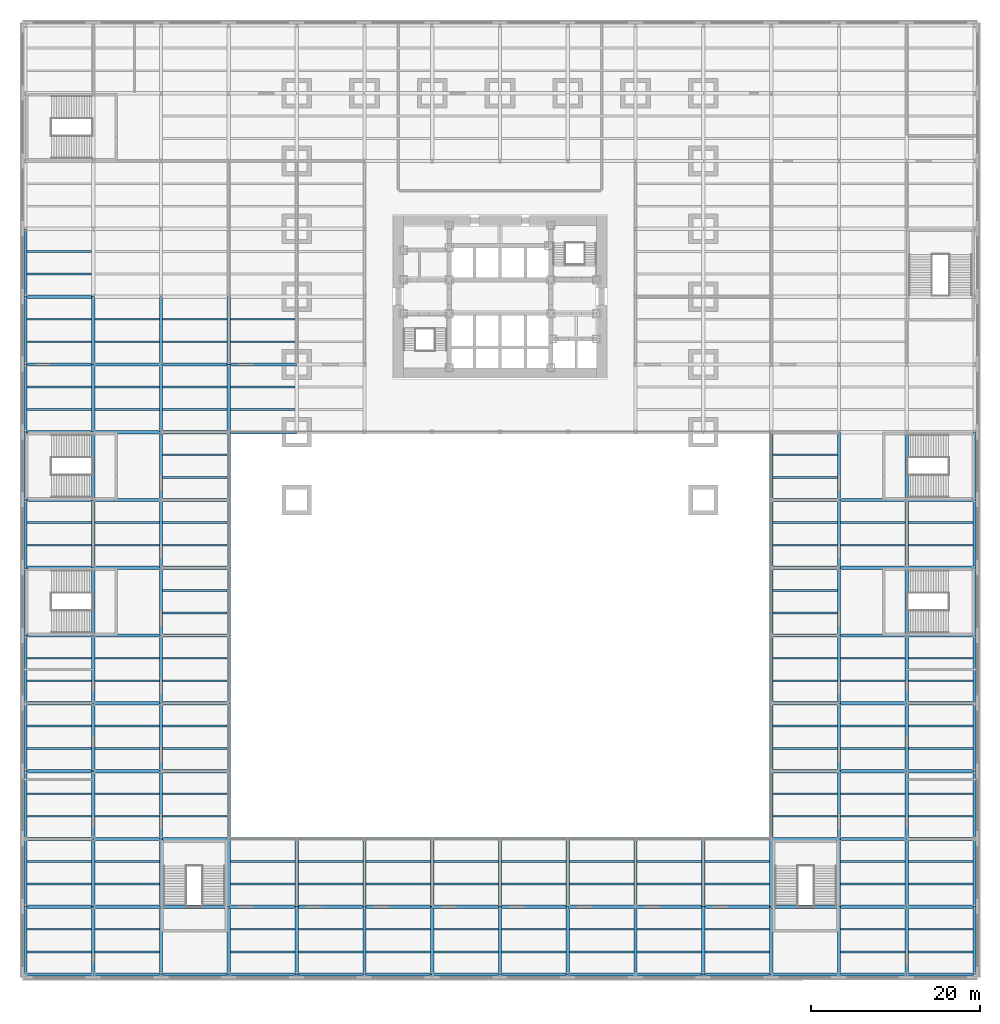
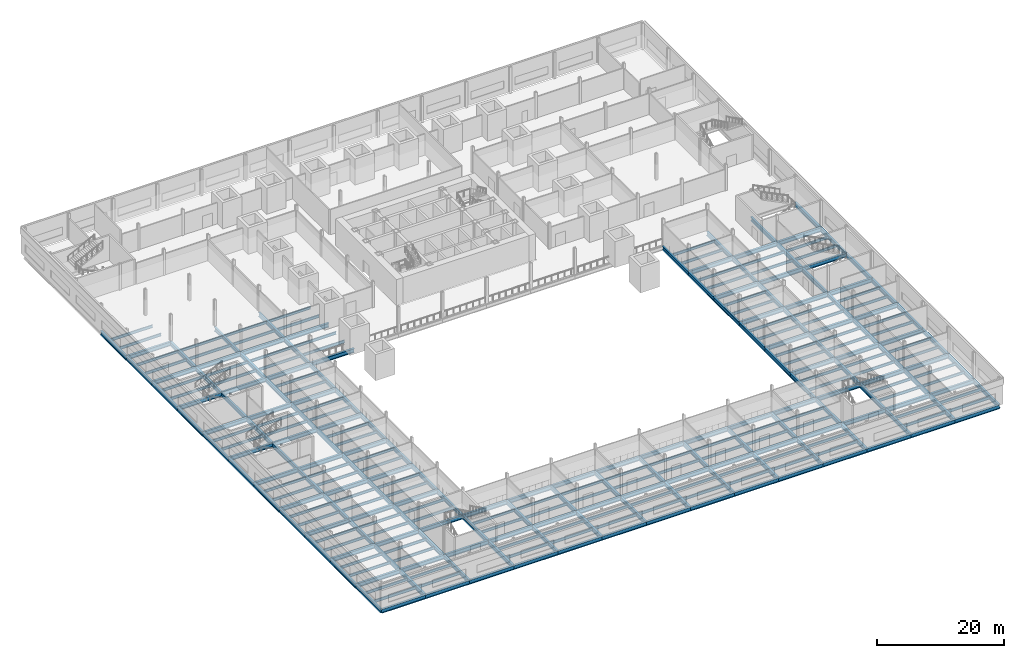
# One storey, part 7 of 22: 290 beams.
"""IFC4 building model written with IfcOpenShell, lengths in metres."""

import ifcopenshell
import ifcopenshell.guid

model = None  # the IFC model being written
_history = None  # IfcOwnerHistory: only IFC2X3 demands one
_inside = {}  # id of a spatial element -> (the spatial element, [elements in it])
_under = {}  # id of a project, library or spatial element -> (it, [spatial elements below it])
_declared = {}  # id of a project -> (the project, [libraries it declares])
_typed = {}  # id of a type object -> (the type object, [elements of that type])
_made_of = {}  # id of a material, layer set ... -> (it, [elements and type objects made of it])


def new_model(schema):
    """Start an empty IFC model of exactly this schema.

    Asked for "IFC4X3", IfcOpenShell would pick the latest addendum, in which some entities
    have other attributes; the version numbers below select the first issue.
    IFC2X3 requires an IfcOwnerHistory on every rooted entity: one is made here for all.
    """
    global model, _history
    if schema == "IFC4X3":
        model = ifcopenshell.file(schema_version=(4, 3, 0, 0))
    else:
        model = ifcopenshell.file(schema=schema)
    _inside.clear()
    _under.clear()
    _declared.clear()
    _typed.clear()
    _made_of.clear()
    _history = None
    if model.schema == "IFC2X3":
        org = make("IfcOrganization", Name="unknown")
        user = make(
            "IfcPersonAndOrganization",
            ThePerson=make("IfcPerson", FamilyName="unknown"),
            TheOrganization=org,
        )
        app = make(
            "IfcApplication",
            ApplicationDeveloper=org,
            Version="unknown",
            ApplicationFullName="unknown",
            ApplicationIdentifier="unknown",
        )
        _history = make(
            "IfcOwnerHistory",
            OwningUser=user,
            OwningApplication=app,
            ChangeAction="ADDED",
            CreationDate=0,
        )
    return model


def make(cls, **values):
    """One entity of the class cls with the attributes given. An attribute that is None is left unset."""
    return model.create_entity(
        cls, **{name: value for name, value in values.items() if value is not None}
    )


def rooted(cls, **values):
    """An entity with a GlobalId (a new one), such as an element, a storey or a relation."""
    return make(cls, GlobalId=ifcopenshell.guid.new(), OwnerHistory=_history, **values)


def si_unit(unit_type, name, prefix=None):
    """IfcSIUnit, for example si_unit("LENGTHUNIT", "METRE", prefix="MILLI")."""
    return make("IfcSIUnit", UnitType=unit_type, Prefix=prefix, Name=name)


def assignment(units):
    """IfcUnitAssignment: the units of a project."""
    return None if units is None else make("IfcUnitAssignment", Units=units)


def point(xyz):
    """IfcCartesianPoint."""
    return None if xyz is None else make("IfcCartesianPoint", Coordinates=xyz)


def direction(xyz):
    """IfcDirection."""
    return None if xyz is None else make("IfcDirection", DirectionRatios=xyz)


def frame(location, z_axis=None, x_axis=None):
    """IfcAxis2Placement3D, a coordinate frame: its origin and axes. An axis left out is left unset."""
    return make(
        "IfcAxis2Placement3D",
        Location=point(location),
        Axis=direction(z_axis),
        RefDirection=direction(x_axis),
    )


def frame_2d(location, x_axis=None):
    """IfcAxis2Placement2D, a coordinate frame in the plane: its origin and x axis."""
    return make(
        "IfcAxis2Placement2D", Location=point(location), RefDirection=direction(x_axis)
    )


def origin():
    """The frame at (0, 0, 0) with its axes left unset."""
    return frame((0.0, 0.0, 0.0))


def origin_2d():
    """The frame at (0, 0) in the plane with its x axis left unset."""
    return frame_2d((0.0, 0.0))


def place(relative_to, where):
    """IfcLocalPlacement: puts the frame where relative to a parent placement (None: the world)."""
    return make(
        "IfcLocalPlacement", PlacementRelTo=relative_to, RelativePlacement=where
    )


def context(
    kind, dimensions, precision=None, world=None, true_north=None, identifier=None
):
    """IfcGeometricRepresentationContext, for example the 3D "Model" context."""
    return make(
        "IfcGeometricRepresentationContext",
        ContextIdentifier=identifier,
        ContextType=kind,
        CoordinateSpaceDimension=dimensions,
        Precision=precision,
        WorldCoordinateSystem=world,
        TrueNorth=true_north,
    )


def subcontext(parent, identifier, kind, view, scale=None):
    """IfcGeometricRepresentationSubContext, for example "Body" below "Model"."""
    return make(
        "IfcGeometricRepresentationSubContext",
        ContextIdentifier=identifier,
        ContextType=kind,
        ParentContext=parent,
        TargetScale=scale,
        TargetView=view,
    )


def project(units=None, contexts=None):
    """IfcProject with its units and contexts."""
    return rooted(
        "IfcProject",
        Name="project",
        RepresentationContexts=contexts,
        UnitsInContext=assignment(units),
    )


def spatial(cls, under=None, at=None, **own):
    """A site, building, storey or space (cls), placed at a placement, below another one or the project."""
    s = rooted(cls, ObjectPlacement=at, **own)
    if under is not None:
        _under.setdefault(under.id(), (under, []))[1].append(s)
    return s


def profile(cls, at=None, kind="AREA", **sizes):
    """A parametric profile (cls). Its sizes go by their IFC names, for example OverallWidth=200.0."""
    return make(cls, ProfileType=kind, Position=at, **sizes)


def i_section(**sizes):
    """IfcIShapeProfileDef."""
    return profile("IfcIShapeProfileDef", **sizes)


def extrude(swept, where, along, depth):
    """IfcExtrudedAreaSolid: the profile swept, set in the frame where, extruded along a direction by depth."""
    return make(
        "IfcExtrudedAreaSolid",
        SweptArea=swept,
        Position=where,
        ExtrudedDirection=direction(along),
        Depth=depth,
    )


def shape(context_of_items, identifier, shape_type, items):
    """IfcShapeRepresentation: the items that make up one representation, for example the "Body"."""
    return make(
        "IfcShapeRepresentation",
        ContextOfItems=context_of_items,
        RepresentationIdentifier=identifier,
        RepresentationType=shape_type,
        Items=items,
    )


def material(Name=None, Category=None):
    """IfcMaterial."""
    return make("IfcMaterial", Name=Name, Category=Category)


def material_profile(
    of_material, cross_section, Name=None, Category=None, Priority=None
):
    """IfcMaterialProfile: a cross section and its material."""
    return make(
        "IfcMaterialProfile",
        Name=Name,
        Material=of_material,
        Profile=cross_section,
        Priority=Priority,
        Category=Category,
    )


def profile_set(profiles, Name=None, composite=None):
    """IfcMaterialProfileSet."""
    return make(
        "IfcMaterialProfileSet",
        Name=Name,
        MaterialProfiles=profiles,
        CompositeProfile=composite,
    )


def made_of(thing, what):
    """Note that an element or type object is made of a material, layer set ...; save() writes the relation."""
    if what is not None:
        _made_of.setdefault(what.id(), (what, []))[1].append(thing)
    return thing


def type_object(cls, material=None, **own):
    """A type object (cls), such as IfcWallType, which elements share."""
    return made_of(rooted(cls, **own), material)


def element(
    cls,
    number,
    at=None,
    inside=None,
    cuts=None,
    type_object=None,
    material=None,
    context=None,
    identifier="Body",
    shape_type=None,
    held_by="IfcProductDefinitionShape",
    body=None,
    shapes=None,
    **own,
):
    """One element of the class cls, such as IfcWall. Its Tag is "e" and its number.

    at: its placement. inside: the storey or other place that contains it. cuts: it is an
    opening in that element (IfcRelVoidsElement). A single representation is given by context,
    identifier, shape_type and body (its items); several are given by shapes. held_by: the class
    of the entity that holds the representations. save() writes the other relations.
    """
    e = rooted(cls, Tag="e%d" % number, ObjectPlacement=at, **own)
    if body is not None:
        shapes = [shape(context, identifier, shape_type, body)]
    if shapes is not None:
        e.Representation = make(held_by, Representations=shapes)
    if inside is not None:
        _inside.setdefault(inside.id(), (inside, []))[1].append(e)
    if cuts is not None:
        rooted(
            "IfcRelVoidsElement", RelatingBuildingElement=cuts, RelatedOpeningElement=e
        )
    if type_object is not None:
        _typed.setdefault(type_object.id(), (type_object, []))[1].append(e)
    return made_of(e, material)


def aggregate(whole, parts):
    """IfcRelAggregates: a whole, such as a stair, and the parts it consists of."""
    return rooted("IfcRelAggregates", RelatingObject=whole, RelatedObjects=parts)


def save(model, path):
    """Write the relations noted so far, then the file.

    IfcRelAggregates (storeys below a building ...), IfcRelContainedInSpatialStructure (elements
    in a storey), IfcRelDefinesByType, IfcRelAssociatesMaterial and IfcRelDeclares: one each for
    every whole, place, type object, material and project.
    """
    for whole, parts in _under.values():
        aggregate(whole, parts)
    for where, things in _inside.values():
        rooted(
            "IfcRelContainedInSpatialStructure",
            RelatedElements=things,
            RelatingStructure=where,
        )
    for kind, things in _typed.values():
        rooted("IfcRelDefinesByType", RelatedObjects=things, RelatingType=kind)
    for what, things in _made_of.values():
        rooted("IfcRelAssociatesMaterial", RelatedObjects=things, RelatingMaterial=what)
    for by, libraries in _declared.values():
        rooted("IfcRelDeclares", RelatingContext=by, RelatedDefinitions=libraries)
    model.write(path)


model = new_model("IFC4")

# Units and contexts
model_context = context("Model", 3, precision=1e-05, world=origin(), true_north=direction((0.0, 1.0)))
body_context = subcontext(model_context, "Body", "Model", "MODEL_VIEW")
ifc_project = project(units=[si_unit("LENGTHUNIT", "METRE"), si_unit("AREAUNIT", "SQUARE_METRE"), si_unit("VOLUMEUNIT", "CUBIC_METRE"), si_unit("PLANEANGLEUNIT", "RADIAN"), si_unit("MASSUNIT", "GRAM", prefix="KILO")], contexts=[model_context])

# Site, building, storey
site_placement = place(None, origin())
site = spatial("IfcSite", under=ifc_project, at=site_placement, CompositionType="ELEMENT")
building_placement = place(site_placement, origin())
building = spatial("IfcBuilding", under=site, at=building_placement, Name="Daluyong Arena Tower", CompositionType="ELEMENT")
storey_placement = place(building_placement, frame((0.0, 0.0, 9.89990234375)))
storey = spatial("IfcBuildingStorey", under=building, at=storey_placement, Name="L02", CompositionType="ELEMENT", Elevation=9.89990234375)

# Beams
ifc_material_1 = material(Name="Steel ASTM A992 Grade 50", Category="steel")
ifc_material_profile_1 = material_profile(ifc_material_1, i_section(OverallWidth=0.209228515625, OverallDepth=0.533447265625, WebThickness=0.01025390625, FlangeThickness=0.015625, at=origin_2d()))
ifc_profile_set_1 = profile_set([ifc_material_profile_1], Name="Steel ASTM A992 Grade 50")
beam_type_1 = type_object("IfcBeamType", Name="Podium floor beam W21X62", PredefinedType="BEAM", material=ifc_profile_set_1)
for number, where, z_axis, x_axis, name in (
    (1, (0.1904296875, 2.666748046875, -0.466552734375), (1.0, 0.0, 0.0), (0.0, 1.0, 0.0), "podium floor beam PB1"),
    (2, (0.1904296875, 5.333251953125, -0.466552734375), (1.0, 0.0, 0.0), (0.0, 1.0, 0.0), "podium floor beam PB1"),
    (3, (0.1904296875, 10.666748046875, -0.466552734375), (1.0, 0.0, 0.0), (0.0, 1.0, 0.0), "podium floor beam PB1"),
    (4, (0.1904296875, 13.333251953125, -0.466552734375), (1.0, 0.0, 0.0), (0.0, 1.0, 0.0), "podium floor beam PB1"),
    (5, (0.1904296875, 18.666748046875, -0.466552734375), (1.0, 0.0, 0.0), (0.0, 1.0, 0.0), "podium floor beam PB1"),
    (6, (0.1904296875, 21.333251953125, -0.466552734375), (1.0, 0.0, 0.0), (0.0, 1.0, 0.0), "podium floor beam PB1"),
    (7, (0.1904296875, 26.666748046875, -0.466552734375), (1.0, 0.0, 0.0), (0.0, 1.0, 0.0), "podium floor beam PB1"),
    (8, (0.1904296875, 29.333251953125, -0.466552734375), (1.0, 0.0, 0.0), (0.0, 1.0, 0.0), "podium floor beam PB1"),
    (9, (0.1904296875, 34.666748046875, -0.466552734375), (1.0, 0.0, 0.0), (0.0, 1.0, 0.0), "podium floor beam PB1"),
    (10, (0.1904296875, 37.333251953125, -0.466552734375), (1.0, 0.0, 0.0), (0.0, 1.0, 0.0), "podium floor beam PB1"),
    (11, (0.1904296875, 50.666748046875, -0.466552734375), (1.0, 0.0, 0.0), (0.0, 1.0, 0.0), "podium floor beam PB1"),
    (12, (0.1904296875, 53.333251953125, -0.466552734375), (1.0, 0.0, 0.0), (0.0, 1.0, 0.0), "podium floor beam PB1"),
    (13, (0.1904296875, 66.666748046875, -0.466552734375), (1.0, 0.0, 0.0), (0.0, 1.0, 0.0), "podium floor beam PB1"),
    (14, (0.1904296875, 69.333251953125, -0.466552734375), (1.0, 0.0, 0.0), (0.0, 1.0, 0.0), "podium floor beam PB1"),
    (15, (0.1904296875, 74.666748046875, -0.466552734375), (1.0, 0.0, 0.0), (0.0, 1.0, 0.0), "podium floor beam PB1"),
    (16, (0.1904296875, 77.333251953125, -0.466552734375), (1.0, 0.0, 0.0), (0.0, 1.0, 0.0), "podium floor beam PB1"),
    (17, (0.1904296875, 82.666748046875, -0.466552734375), (1.0, 0.0, 0.0), (0.0, 1.0, 0.0), "podium floor beam PB1"),
    (18, (0.1904296875, 85.333251953125, -0.466552734375), (1.0, 0.0, 0.0), (0.0, 1.0, 0.0), "podium floor beam PB1"),
    (19, (8.1904296875, 2.666748046875, -0.466552734375), (1.0, 0.0, 0.0), (0.0, 1.0, 0.0), "podium floor beam PB1"),
    (20, (8.1904296875, 5.333251953125, -0.466552734375), (1.0, 0.0, 0.0), (0.0, 1.0, 0.0), "podium floor beam PB1"),
    (21, (8.1904296875, 10.666748046875, -0.466552734375), (1.0, 0.0, 0.0), (0.0, 1.0, 0.0), "podium floor beam PB1"),
    (22, (8.1904296875, 13.333251953125, -0.466552734375), (1.0, 0.0, 0.0), (0.0, 1.0, 0.0), "podium floor beam PB1"),
    (23, (8.1904296875, 18.666748046875, -0.466552734375), (1.0, 0.0, 0.0), (0.0, 1.0, 0.0), "podium floor beam PB1"),
    (24, (8.1904296875, 21.333251953125, -0.466552734375), (1.0, 0.0, 0.0), (0.0, 1.0, 0.0), "podium floor beam PB1"),
    (25, (8.1904296875, 26.666748046875, -0.466552734375), (1.0, 0.0, 0.0), (0.0, 1.0, 0.0), "podium floor beam PB1"),
    (26, (8.1904296875, 29.333251953125, -0.466552734375), (1.0, 0.0, 0.0), (0.0, 1.0, 0.0), "podium floor beam PB1"),
    (27, (8.1904296875, 34.666748046875, -0.466552734375), (1.0, 0.0, 0.0), (0.0, 1.0, 0.0), "podium floor beam PB1"),
    (28, (8.1904296875, 37.333251953125, -0.466552734375), (1.0, 0.0, 0.0), (0.0, 1.0, 0.0), "podium floor beam PB1"),
    (29, (8.1904296875, 50.666748046875, -0.466552734375), (1.0, 0.0, 0.0), (0.0, 1.0, 0.0), "podium floor beam PB1"),
    (30, (8.1904296875, 53.333251953125, -0.466552734375), (1.0, 0.0, 0.0), (0.0, 1.0, 0.0), "podium floor beam PB1"),
    (31, (8.1904296875, 66.666748046875, -0.466552734375), (1.0, 0.0, 0.0), (0.0, 1.0, 0.0), "podium floor beam PB1"),
    (32, (8.1904296875, 69.333251953125, -0.466552734375), (1.0, 0.0, 0.0), (0.0, 1.0, 0.0), "podium floor beam PB1"),
    (33, (8.1904296875, 74.666748046875, -0.466552734375), (1.0, 0.0, 0.0), (0.0, 1.0, 0.0), "podium floor beam PB1"),
    (34, (8.1904296875, 77.333251953125, -0.466552734375), (1.0, 0.0, 0.0), (0.0, 1.0, 0.0), "podium floor beam PB1"),
    (35, (16.1904296875, 18.666748046875, -0.466552734375), (1.0, 0.0, 0.0), (0.0, 1.0, 0.0), "podium floor beam PB1"),
    (36, (16.1904296875, 21.333251953125, -0.466552734375), (1.0, 0.0, 0.0), (0.0, 1.0, 0.0), "podium floor beam PB1"),
    (37, (16.1904296875, 26.666748046875, -0.466552734375), (1.0, 0.0, 0.0), (0.0, 1.0, 0.0), "podium floor beam PB1"),
    (38, (16.1904296875, 29.333251953125, -0.466552734375), (1.0, 0.0, 0.0), (0.0, 1.0, 0.0), "podium floor beam PB1"),
    (39, (16.1904296875, 34.666748046875, -0.466552734375), (1.0, 0.0, 0.0), (0.0, 1.0, 0.0), "podium floor beam PB1"),
    (40, (16.1904296875, 37.333251953125, -0.466552734375), (1.0, 0.0, 0.0), (0.0, 1.0, 0.0), "podium floor beam PB1"),
    (41, (16.1904296875, 42.666748046875, -0.466552734375), (1.0, 0.0, 0.0), (0.0, 1.0, 0.0), "podium floor beam PB1"),
    (42, (16.1904296875, 45.333251953125, -0.466552734375), (1.0, 0.0, 0.0), (0.0, 1.0, 0.0), "podium floor beam PB1"),
    (43, (16.1904296875, 50.666748046875, -0.466552734375), (1.0, 0.0, 0.0), (0.0, 1.0, 0.0), "podium floor beam PB1"),
    (44, (16.1904296875, 53.333251953125, -0.466552734375), (1.0, 0.0, 0.0), (0.0, 1.0, 0.0), "podium floor beam PB1"),
    (45, (16.1904296875, 58.666748046875, -0.466552734375), (1.0, 0.0, 0.0), (0.0, 1.0, 0.0), "podium floor beam PB1"),
    (46, (16.1904296875, 61.333251953125, -0.466552734375), (1.0, 0.0, 0.0), (0.0, 1.0, 0.0), "podium floor beam PB1"),
    (47, (16.1904296875, 66.666748046875, -0.466552734375), (1.0, 0.0, 0.0), (0.0, 1.0, 0.0), "podium floor beam PB1"),
    (48, (16.1904296875, 69.333251953125, -0.466552734375), (1.0, 0.0, 0.0), (0.0, 1.0, 0.0), "podium floor beam PB1"),
    (49, (16.1904296875, 74.666748046875, -0.466552734375), (1.0, 0.0, 0.0), (0.0, 1.0, 0.0), "podium floor beam PB1"),
    (50, (16.1904296875, 77.333251953125, -0.466552734375), (1.0, 0.0, 0.0), (0.0, 1.0, 0.0), "podium floor beam PB1"),
    (51, (24.1904296875, 2.666748046875, -0.466552734375), (1.0, 0.0, 0.0), (0.0, 1.0, 0.0), "podium floor beam PB1"),
    (52, (24.1904296875, 5.333251953125, -0.466552734375), (1.0, 0.0, 0.0), (0.0, 1.0, 0.0), "podium floor beam PB1"),
    (53, (24.1904296875, 10.666748046875, -0.466552734375), (1.0, 0.0, 0.0), (0.0, 1.0, 0.0), "podium floor beam PB1"),
    (54, (24.1904296875, 13.333251953125, -0.466552734375), (1.0, 0.0, 0.0), (0.0, 1.0, 0.0), "podium floor beam PB1"),
    (55, (24.1904296875, 66.666748046875, -0.466552734375), (1.0, 0.0, 0.0), (0.0, 1.0, 0.0), "podium floor beam PB1"),
    (56, (24.1904296875, 69.333251953125, -0.466552734375), (1.0, 0.0, 0.0), (0.0, 1.0, 0.0), "podium floor beam PB1"),
    (57, (24.1904296875, 74.666748046875, -0.466552734375), (1.0, 0.0, 0.0), (0.0, 1.0, 0.0), "podium floor beam PB1"),
    (58, (24.1904296875, 77.333251953125, -0.466552734375), (1.0, 0.0, 0.0), (0.0, 1.0, 0.0), "podium floor beam PB1"),
    (59, (32.1904296875, 2.666748046875, -0.466552734375), (1.0, 0.0, 0.0), (0.0, 1.0, 0.0), "podium floor beam PB1"),
    (60, (32.1904296875, 5.333251953125, -0.466552734375), (1.0, 0.0, 0.0), (0.0, 1.0, 0.0), "podium floor beam PB1"),
    (61, (32.1904296875, 10.666748046875, -0.466552734375), (1.0, 0.0, 0.0), (0.0, 1.0, 0.0), "podium floor beam PB1"),
    (62, (32.1904296875, 13.333251953125, -0.466552734375), (1.0, 0.0, 0.0), (0.0, 1.0, 0.0), "podium floor beam PB1"),
    (63, (40.1904296875, 2.666748046875, -0.466552734375), (1.0, 0.0, 0.0), (0.0, 1.0, 0.0), "podium floor beam PB1"),
    (64, (40.1904296875, 5.333251953125, -0.466552734375), (1.0, 0.0, 0.0), (0.0, 1.0, 0.0), "podium floor beam PB1"),
    (65, (40.1904296875, 10.666748046875, -0.466552734375), (1.0, 0.0, 0.0), (0.0, 1.0, 0.0), "podium floor beam PB1"),
    (66, (40.1904296875, 13.333251953125, -0.466552734375), (1.0, 0.0, 0.0), (0.0, 1.0, 0.0), "podium floor beam PB1"),
    (67, (48.1904296875, 2.666748046875, -0.466552734375), (1.0, 0.0, 0.0), (0.0, 1.0, 0.0), "podium floor beam PB1"),
    (68, (48.1904296875, 5.333251953125, -0.466552734375), (1.0, 0.0, 0.0), (0.0, 1.0, 0.0), "podium floor beam PB1"),
    (69, (48.1904296875, 10.666748046875, -0.466552734375), (1.0, 0.0, 0.0), (0.0, 1.0, 0.0), "podium floor beam PB1"),
    (70, (48.1904296875, 13.333251953125, -0.466552734375), (1.0, 0.0, 0.0), (0.0, 1.0, 0.0), "podium floor beam PB1"),
    (71, (56.1904296875, 2.666748046875, -0.466552734375), (1.0, 0.0, 0.0), (0.0, 1.0, 0.0), "podium floor beam PB1"),
    (72, (56.1904296875, 5.333251953125, -0.466552734375), (1.0, 0.0, 0.0), (0.0, 1.0, 0.0), "podium floor beam PB1"),
    (73, (56.1904296875, 10.666748046875, -0.466552734375), (1.0, 0.0, 0.0), (0.0, 1.0, 0.0), "podium floor beam PB1"),
    (74, (56.1904296875, 13.333251953125, -0.466552734375), (1.0, 0.0, 0.0), (0.0, 1.0, 0.0), "podium floor beam PB1"),
    (75, (64.1904296875, 2.666748046875, -0.466552734375), (1.0, 0.0, 0.0), (0.0, 1.0, 0.0), "podium floor beam PB1"),
    (76, (64.1904296875, 5.333251953125, -0.466552734375), (1.0, 0.0, 0.0), (0.0, 1.0, 0.0), "podium floor beam PB1"),
    (77, (64.1904296875, 10.666748046875, -0.466552734375), (1.0, 0.0, 0.0), (0.0, 1.0, 0.0), "podium floor beam PB1"),
    (78, (64.1904296875, 13.333251953125, -0.466552734375), (1.0, 0.0, 0.0), (0.0, 1.0, 0.0), "podium floor beam PB1"),
    (79, (72.1904296875, 2.666748046875, -0.466552734375), (1.0, 0.0, 0.0), (0.0, 1.0, 0.0), "podium floor beam PB1"),
    (80, (72.1904296875, 5.333251953125, -0.466552734375), (1.0, 0.0, 0.0), (0.0, 1.0, 0.0), "podium floor beam PB1"),
    (81, (72.1904296875, 10.666748046875, -0.466552734375), (1.0, 0.0, 0.0), (0.0, 1.0, 0.0), "podium floor beam PB1"),
    (82, (72.1904296875, 13.333251953125, -0.466552734375), (1.0, 0.0, 0.0), (0.0, 1.0, 0.0), "podium floor beam PB1"),
    (83, (80.1904296875, 2.666748046875, -0.466552734375), (1.0, 0.0, 0.0), (0.0, 1.0, 0.0), "podium floor beam PB1"),
    (84, (80.1904296875, 5.333251953125, -0.466552734375), (1.0, 0.0, 0.0), (0.0, 1.0, 0.0), "podium floor beam PB1"),
    (85, (80.1904296875, 10.666748046875, -0.466552734375), (1.0, 0.0, 0.0), (0.0, 1.0, 0.0), "podium floor beam PB1"),
    (86, (80.1904296875, 13.333251953125, -0.466552734375), (1.0, 0.0, 0.0), (0.0, 1.0, 0.0), "podium floor beam PB1"),
    (87, (88.1904296875, 18.666748046875, -0.466552734375), (1.0, 0.0, 0.0), (0.0, 1.0, 0.0), "podium floor beam PB1"),
    (88, (88.1904296875, 21.333251953125, -0.466552734375), (1.0, 0.0, 0.0), (0.0, 1.0, 0.0), "podium floor beam PB1"),
    (89, (88.1904296875, 26.666748046875, -0.466552734375), (1.0, 0.0, 0.0), (0.0, 1.0, 0.0), "podium floor beam PB1"),
    (90, (88.1904296875, 29.333251953125, -0.466552734375), (1.0, 0.0, 0.0), (0.0, 1.0, 0.0), "podium floor beam PB1"),
    (91, (88.1904296875, 34.666748046875, -0.466552734375), (1.0, 0.0, 0.0), (0.0, 1.0, 0.0), "podium floor beam PB1"),
    (92, (88.1904296875, 37.333251953125, -0.466552734375), (1.0, 0.0, 0.0), (0.0, 1.0, 0.0), "podium floor beam PB1"),
    (93, (88.1904296875, 42.666748046875, -0.466552734375), (1.0, 0.0, 0.0), (0.0, 1.0, 0.0), "podium floor beam PB1"),
    (94, (88.1904296875, 45.333251953125, -0.466552734375), (1.0, 0.0, 0.0), (0.0, 1.0, 0.0), "podium floor beam PB1"),
    (95, (88.1904296875, 50.666748046875, -0.466552734375), (1.0, 0.0, 0.0), (0.0, 1.0, 0.0), "podium floor beam PB1"),
    (96, (88.1904296875, 53.333251953125, -0.466552734375), (1.0, 0.0, 0.0), (0.0, 1.0, 0.0), "podium floor beam PB1"),
    (97, (88.1904296875, 58.666748046875, -0.466552734375), (1.0, 0.0, 0.0), (0.0, 1.0, 0.0), "podium floor beam PB1"),
    (98, (88.1904296875, 61.333251953125, -0.466552734375), (1.0, 0.0, 0.0), (0.0, 1.0, 0.0), "podium floor beam PB1"),
    (99, (96.1904296875, 2.666748046875, -0.466552734375), (1.0, 0.0, 0.0), (0.0, 1.0, 0.0), "podium floor beam PB1"),
    (100, (96.1904296875, 5.333251953125, -0.466552734375), (1.0, 0.0, 0.0), (0.0, 1.0, 0.0), "podium floor beam PB1"),
    (101, (96.1904296875, 10.666748046875, -0.466552734375), (1.0, 0.0, 0.0), (0.0, 1.0, 0.0), "podium floor beam PB1"),
    (102, (96.1904296875, 13.333251953125, -0.466552734375), (1.0, 0.0, 0.0), (0.0, 1.0, 0.0), "podium floor beam PB1"),
    (103, (96.1904296875, 18.666748046875, -0.466552734375), (1.0, 0.0, 0.0), (0.0, 1.0, 0.0), "podium floor beam PB1"),
    (104, (96.1904296875, 21.333251953125, -0.466552734375), (1.0, 0.0, 0.0), (0.0, 1.0, 0.0), "podium floor beam PB1"),
    (105, (96.1904296875, 26.666748046875, -0.466552734375), (1.0, 0.0, 0.0), (0.0, 1.0, 0.0), "podium floor beam PB1"),
    (106, (96.1904296875, 29.333251953125, -0.466552734375), (1.0, 0.0, 0.0), (0.0, 1.0, 0.0), "podium floor beam PB1"),
    (107, (96.1904296875, 34.666748046875, -0.466552734375), (1.0, 0.0, 0.0), (0.0, 1.0, 0.0), "podium floor beam PB1"),
    (108, (96.1904296875, 37.333251953125, -0.466552734375), (1.0, 0.0, 0.0), (0.0, 1.0, 0.0), "podium floor beam PB1"),
    (109, (96.1904296875, 50.666748046875, -0.466552734375), (1.0, 0.0, 0.0), (0.0, 1.0, 0.0), "podium floor beam PB1"),
    (110, (96.1904296875, 53.333251953125, -0.466552734375), (1.0, 0.0, 0.0), (0.0, 1.0, 0.0), "podium floor beam PB1"),
    (111, (104.1904296875, 2.666748046875, -0.466552734375), (1.0, 0.0, 0.0), (0.0, 1.0, 0.0), "podium floor beam PB1"),
    (112, (104.1904296875, 5.333251953125, -0.466552734375), (1.0, 0.0, 0.0), (0.0, 1.0, 0.0), "podium floor beam PB1"),
    (113, (104.1904296875, 10.666748046875, -0.466552734375), (1.0, 0.0, 0.0), (0.0, 1.0, 0.0), "podium floor beam PB1"),
    (114, (104.1904296875, 13.333251953125, -0.466552734375), (1.0, 0.0, 0.0), (0.0, 1.0, 0.0), "podium floor beam PB1"),
    (115, (104.1904296875, 18.666748046875, -0.466552734375), (1.0, 0.0, 0.0), (0.0, 1.0, 0.0), "podium floor beam PB1"),
    (116, (104.1904296875, 21.333251953125, -0.466552734375), (1.0, 0.0, 0.0), (0.0, 1.0, 0.0), "podium floor beam PB1"),
    (117, (104.1904296875, 26.666748046875, -0.466552734375), (1.0, 0.0, 0.0), (0.0, 1.0, 0.0), "podium floor beam PB1"),
    (118, (104.1904296875, 29.333251953125, -0.466552734375), (1.0, 0.0, 0.0), (0.0, 1.0, 0.0), "podium floor beam PB1"),
    (119, (104.1904296875, 34.666748046875, -0.466552734375), (1.0, 0.0, 0.0), (0.0, 1.0, 0.0), "podium floor beam PB1"),
    (120, (104.1904296875, 37.333251953125, -0.466552734375), (1.0, 0.0, 0.0), (0.0, 1.0, 0.0), "podium floor beam PB1"),
    (121, (104.1904296875, 50.666748046875, -0.466552734375), (1.0, 0.0, 0.0), (0.0, 1.0, 0.0), "podium floor beam PB1"),
    (122, (104.1904296875, 53.333251953125, -0.466552734375), (1.0, 0.0, 0.0), (0.0, 1.0, 0.0), "podium floor beam PB1"),
):
    element("IfcBeam", number, at=place(storey_placement, frame(where, z_axis=z_axis, x_axis=x_axis)), inside=storey, type_object=beam_type_1, Name=name, PredefinedType="BEAM", context=body_context, shape_type="SweptSolid", body=[
        extrude(i_section(OverallWidth=0.209228515625, OverallDepth=0.533447265625, WebThickness=0.01025390625, FlangeThickness=0.015625, at=origin_2d()), origin(), (0.0, 0.0, 1.0), 7.619140625),
    ])
ifc_material_2 = material(Name="Steel ASTM A992 Grade 50", Category="steel")
ifc_material_profile_2 = material_profile(ifc_material_2, i_section(OverallWidth=0.381103515625, OverallDepth=0.772216796875, WebThickness=0.0166015625, FlangeThickness=0.027099609375, at=origin_2d()))
ifc_profile_set_2 = profile_set([ifc_material_profile_2], Name="Steel ASTM A992 Grade 50")
beam_type_2 = type_object("IfcBeamType", Name="Podium girder W30X173", PredefinedType="BEAM", material=ifc_profile_set_2)
for number, where, z_axis, x_axis, name in (
    (123, (0.0, 0.0, -0.5859375), (1.0, 0.0, 0.0), (0.0, 1.0, 0.0), "podium girder PG1"),
    (124, (0.0, 0.0, -0.5859375), (0.0, 1.0, 0.0), (-1.0, 0.0, 0.0), "podium girder PG1"),
    (125, (0.0, 8.0, -0.5859375), (1.0, 0.0, 0.0), (0.0, 1.0, 0.0), "podium girder PG1"),
    (126, (0.0, 8.0, -0.5859375), (0.0, 1.0, 0.0), (-1.0, 0.0, 0.0), "podium girder PG1"),
    (127, (0.0, 16.0, -0.5859375), (1.0, 0.0, 0.0), (0.0, 1.0, 0.0), "podium girder PG1"),
    (128, (0.0, 16.0, -0.5859375), (0.0, 1.0, 0.0), (-1.0, 0.0, 0.0), "podium girder PG1"),
    (129, (0.0, 24.0, -0.5859375), (1.0, 0.0, 0.0), (0.0, 1.0, 0.0), "podium girder PG1"),
    (130, (0.0, 24.0, -0.5859375), (0.0, 1.0, 0.0), (-1.0, 0.0, 0.0), "podium girder PG1"),
    (131, (0.0, 32.0, -0.5859375), (1.0, 0.0, 0.0), (0.0, 1.0, 0.0), "podium girder PG1"),
    (132, (0.0, 32.0, -0.5859375), (0.0, 1.0, 0.0), (-1.0, 0.0, 0.0), "podium girder PG1"),
    (133, (0.0, 40.0, -0.5859375), (1.0, 0.0, 0.0), (0.0, 1.0, 0.0), "podium girder PG1"),
    (134, (0.0, 40.0, -0.5859375), (0.0, 1.0, 0.0), (-1.0, 0.0, 0.0), "podium girder PG1"),
    (135, (0.0, 48.0, -0.5859375), (1.0, 0.0, 0.0), (0.0, 1.0, 0.0), "podium girder PG1"),
    (136, (0.0, 48.0, -0.5859375), (0.0, 1.0, 0.0), (-1.0, 0.0, 0.0), "podium girder PG1"),
    (137, (0.0, 56.0, -0.5859375), (1.0, 0.0, 0.0), (0.0, 1.0, 0.0), "podium girder PG1"),
    (138, (0.0, 56.0, -0.5859375), (0.0, 1.0, 0.0), (-1.0, 0.0, 0.0), "podium girder PG1"),
    (139, (0.0, 64.0, -0.5859375), (1.0, 0.0, 0.0), (0.0, 1.0, 0.0), "podium girder PG1"),
    (140, (0.0, 64.0, -0.5859375), (0.0, 1.0, 0.0), (-1.0, 0.0, 0.0), "podium girder PG1"),
    (141, (0.0, 72.0, -0.5859375), (1.0, 0.0, 0.0), (0.0, 1.0, 0.0), "podium girder PG1"),
    (142, (0.0, 72.0, -0.5859375), (0.0, 1.0, 0.0), (-1.0, 0.0, 0.0), "podium girder PG1"),
    (143, (0.0, 80.0, -0.5859375), (1.0, 0.0, 0.0), (0.0, 1.0, 0.0), "podium girder PG1"),
    (144, (0.0, 80.0, -0.5859375), (0.0, 1.0, 0.0), (-1.0, 0.0, 0.0), "podium girder PG1"),
    (145, (8.0, 0.0, -0.5859375), (1.0, 0.0, 0.0), (0.0, 1.0, 0.0), "podium girder PG1"),
    (146, (8.0, 0.0, -0.5859375), (0.0, 1.0, 0.0), (-1.0, 0.0, 0.0), "podium girder PG1"),
    (147, (8.0, 8.0, -0.5859375), (1.0, 0.0, 0.0), (0.0, 1.0, 0.0), "podium girder PG1"),
    (148, (8.0, 8.0, -0.5859375), (0.0, 1.0, 0.0), (-1.0, 0.0, 0.0), "podium girder PG1"),
    (149, (8.0, 16.0, -0.5859375), (1.0, 0.0, 0.0), (0.0, 1.0, 0.0), "podium girder PG1"),
    (150, (8.0, 16.0, -0.5859375), (0.0, 1.0, 0.0), (-1.0, 0.0, 0.0), "podium girder PG1"),
    (151, (8.0, 24.0, -0.5859375), (1.0, 0.0, 0.0), (0.0, 1.0, 0.0), "podium girder PG1"),
    (152, (8.0, 24.0, -0.5859375), (0.0, 1.0, 0.0), (-1.0, 0.0, 0.0), "podium girder PG1"),
    (153, (8.0, 32.0, -0.5859375), (1.0, 0.0, 0.0), (0.0, 1.0, 0.0), "podium girder PG1"),
    (154, (8.0, 32.0, -0.5859375), (0.0, 1.0, 0.0), (-1.0, 0.0, 0.0), "podium girder PG1"),
    (155, (8.0, 40.0, -0.5859375), (1.0, 0.0, 0.0), (0.0, 1.0, 0.0), "podium girder PG1"),
    (156, (8.0, 40.0, -0.5859375), (0.0, 1.0, 0.0), (-1.0, 0.0, 0.0), "podium girder PG1"),
    (157, (8.0, 48.0, -0.5859375), (1.0, 0.0, 0.0), (0.0, 1.0, 0.0), "podium girder PG1"),
    (158, (8.0, 48.0, -0.5859375), (0.0, 1.0, 0.0), (-1.0, 0.0, 0.0), "podium girder PG1"),
    (159, (8.0, 56.0, -0.5859375), (1.0, 0.0, 0.0), (0.0, 1.0, 0.0), "podium girder PG1"),
    (160, (8.0, 56.0, -0.5859375), (0.0, 1.0, 0.0), (-1.0, 0.0, 0.0), "podium girder PG1"),
    (161, (8.0, 64.0, -0.5859375), (1.0, 0.0, 0.0), (0.0, 1.0, 0.0), "podium girder PG1"),
    (162, (8.0, 64.0, -0.5859375), (0.0, 1.0, 0.0), (-1.0, 0.0, 0.0), "podium girder PG1"),
    (163, (8.0, 72.0, -0.5859375), (1.0, 0.0, 0.0), (0.0, 1.0, 0.0), "podium girder PG1"),
    (164, (8.0, 72.0, -0.5859375), (0.0, 1.0, 0.0), (-1.0, 0.0, 0.0), "podium girder PG1"),
    (165, (16.0, 0.0, -0.5859375), (1.0, 0.0, 0.0), (0.0, 1.0, 0.0), "podium girder PG1"),
    (166, (16.0, 0.0, -0.5859375), (0.0, 1.0, 0.0), (-1.0, 0.0, 0.0), "podium girder PG1"),
    (167, (16.0, 8.0, -0.5859375), (1.0, 0.0, 0.0), (0.0, 1.0, 0.0), "podium girder PG1"),
    (168, (16.0, 8.0, -0.5859375), (0.0, 1.0, 0.0), (-1.0, 0.0, 0.0), "podium girder PG1"),
    (169, (16.0, 16.0, -0.5859375), (1.0, 0.0, 0.0), (0.0, 1.0, 0.0), "podium girder PG1"),
    (170, (16.0, 16.0, -0.5859375), (0.0, 1.0, 0.0), (-1.0, 0.0, 0.0), "podium girder PG1"),
    (171, (16.0, 24.0, -0.5859375), (1.0, 0.0, 0.0), (0.0, 1.0, 0.0), "podium girder PG1"),
    (172, (16.0, 24.0, -0.5859375), (0.0, 1.0, 0.0), (-1.0, 0.0, 0.0), "podium girder PG1"),
    (173, (16.0, 32.0, -0.5859375), (1.0, 0.0, 0.0), (0.0, 1.0, 0.0), "podium girder PG1"),
    (174, (16.0, 32.0, -0.5859375), (0.0, 1.0, 0.0), (-1.0, 0.0, 0.0), "podium girder PG1"),
    (175, (16.0, 40.0, -0.5859375), (1.0, 0.0, 0.0), (0.0, 1.0, 0.0), "podium girder PG1"),
    (176, (16.0, 40.0, -0.5859375), (0.0, 1.0, 0.0), (-1.0, 0.0, 0.0), "podium girder PG1"),
    (177, (16.0, 48.0, -0.5859375), (1.0, 0.0, 0.0), (0.0, 1.0, 0.0), "podium girder PG1"),
    (178, (16.0, 48.0, -0.5859375), (0.0, 1.0, 0.0), (-1.0, 0.0, 0.0), "podium girder PG1"),
    (179, (16.0, 56.0, -0.5859375), (1.0, 0.0, 0.0), (0.0, 1.0, 0.0), "podium girder PG1"),
    (180, (16.0, 56.0, -0.5859375), (0.0, 1.0, 0.0), (-1.0, 0.0, 0.0), "podium girder PG1"),
    (181, (16.0, 64.0, -0.5859375), (1.0, 0.0, 0.0), (0.0, 1.0, 0.0), "podium girder PG1"),
    (182, (16.0, 64.0, -0.5859375), (0.0, 1.0, 0.0), (-1.0, 0.0, 0.0), "podium girder PG1"),
    (183, (16.0, 72.0, -0.5859375), (1.0, 0.0, 0.0), (0.0, 1.0, 0.0), "podium girder PG1"),
    (184, (16.0, 72.0, -0.5859375), (0.0, 1.0, 0.0), (-1.0, 0.0, 0.0), "podium girder PG1"),
    (185, (24.0, 0.0, -0.5859375), (1.0, 0.0, 0.0), (0.0, 1.0, 0.0), "podium girder PG1"),
    (186, (24.0, 0.0, -0.5859375), (0.0, 1.0, 0.0), (-1.0, 0.0, 0.0), "podium girder PG1"),
    (187, (24.0, 8.0, -0.5859375), (1.0, 0.0, 0.0), (0.0, 1.0, 0.0), "podium girder PG1"),
    (188, (24.0, 8.0, -0.5859375), (0.0, 1.0, 0.0), (-1.0, 0.0, 0.0), "podium girder PG1"),
    (189, (24.0, 16.0, -0.5859375), (1.0, 0.0, 0.0), (0.0, 1.0, 0.0), "podium girder PG1"),
    (190, (24.0, 16.0, -0.5859375), (0.0, 1.0, 0.0), (-1.0, 0.0, 0.0), "podium girder PG1"),
    (191, (24.0, 24.0, -0.5859375), (0.0, 1.0, 0.0), (-1.0, 0.0, 0.0), "podium girder PG1"),
    (192, (24.0, 32.0, -0.5859375), (0.0, 1.0, 0.0), (-1.0, 0.0, 0.0), "podium girder PG1"),
    (193, (24.0, 40.0, -0.5859375), (0.0, 1.0, 0.0), (-1.0, 0.0, 0.0), "podium girder PG1"),
    (194, (24.0, 48.0, -0.5859375), (0.0, 1.0, 0.0), (-1.0, 0.0, 0.0), "podium girder PG1"),
    (195, (24.0, 56.0, -0.5859375), (0.0, 1.0, 0.0), (-1.0, 0.0, 0.0), "podium girder PG1"),
    (196, (24.0, 64.0, -0.5859375), (1.0, 0.0, 0.0), (0.0, 1.0, 0.0), "podium girder PG1"),
    (197, (24.0, 64.0, -0.5859375), (0.0, 1.0, 0.0), (-1.0, 0.0, 0.0), "podium girder PG1"),
    (198, (24.0, 72.0, -0.5859375), (1.0, 0.0, 0.0), (0.0, 1.0, 0.0), "podium girder PG1"),
    (199, (24.0, 72.0, -0.5859375), (0.0, 1.0, 0.0), (-1.0, 0.0, 0.0), "podium girder PG1"),
    (200, (32.0, 0.0, -0.5859375), (1.0, 0.0, 0.0), (0.0, 1.0, 0.0), "podium girder PG1"),
    (201, (32.0, 0.0, -0.5859375), (0.0, 1.0, 0.0), (-1.0, 0.0, 0.0), "podium girder PG1"),
    (202, (32.0, 8.0, -0.5859375), (1.0, 0.0, 0.0), (0.0, 1.0, 0.0), "podium girder PG1"),
    (203, (32.0, 8.0, -0.5859375), (0.0, 1.0, 0.0), (-1.0, 0.0, 0.0), "podium girder PG1"),
    (204, (32.0, 16.0, -0.5859375), (1.0, 0.0, 0.0), (0.0, 1.0, 0.0), "podium girder PG1"),
    (205, (40.0, 0.0, -0.5859375), (1.0, 0.0, 0.0), (0.0, 1.0, 0.0), "podium girder PG1"),
    (206, (40.0, 0.0, -0.5859375), (0.0, 1.0, 0.0), (-1.0, 0.0, 0.0), "podium girder PG1"),
    (207, (40.0, 8.0, -0.5859375), (1.0, 0.0, 0.0), (0.0, 1.0, 0.0), "podium girder PG1"),
    (208, (40.0, 8.0, -0.5859375), (0.0, 1.0, 0.0), (-1.0, 0.0, 0.0), "podium girder PG1"),
    (209, (40.0, 16.0, -0.5859375), (1.0, 0.0, 0.0), (0.0, 1.0, 0.0), "podium girder PG1"),
    (210, (48.0, 0.0, -0.5859375), (1.0, 0.0, 0.0), (0.0, 1.0, 0.0), "podium girder PG1"),
    (211, (48.0, 0.0, -0.5859375), (0.0, 1.0, 0.0), (-1.0, 0.0, 0.0), "podium girder PG1"),
    (212, (48.0, 8.0, -0.5859375), (1.0, 0.0, 0.0), (0.0, 1.0, 0.0), "podium girder PG1"),
    (213, (48.0, 8.0, -0.5859375), (0.0, 1.0, 0.0), (-1.0, 0.0, 0.0), "podium girder PG1"),
    (214, (48.0, 16.0, -0.5859375), (1.0, 0.0, 0.0), (0.0, 1.0, 0.0), "podium girder PG1"),
    (215, (56.0, 0.0, -0.5859375), (1.0, 0.0, 0.0), (0.0, 1.0, 0.0), "podium girder PG1"),
    (216, (56.0, 0.0, -0.5859375), (0.0, 1.0, 0.0), (-1.0, 0.0, 0.0), "podium girder PG1"),
    (217, (56.0, 8.0, -0.5859375), (1.0, 0.0, 0.0), (0.0, 1.0, 0.0), "podium girder PG1"),
    (218, (56.0, 8.0, -0.5859375), (0.0, 1.0, 0.0), (-1.0, 0.0, 0.0), "podium girder PG1"),
    (219, (56.0, 16.0, -0.5859375), (1.0, 0.0, 0.0), (0.0, 1.0, 0.0), "podium girder PG1"),
    (220, (64.0, 0.0, -0.5859375), (1.0, 0.0, 0.0), (0.0, 1.0, 0.0), "podium girder PG1"),
    (221, (64.0, 0.0, -0.5859375), (0.0, 1.0, 0.0), (-1.0, 0.0, 0.0), "podium girder PG1"),
    (222, (64.0, 8.0, -0.5859375), (1.0, 0.0, 0.0), (0.0, 1.0, 0.0), "podium girder PG1"),
    (223, (64.0, 8.0, -0.5859375), (0.0, 1.0, 0.0), (-1.0, 0.0, 0.0), "podium girder PG1"),
    (224, (64.0, 16.0, -0.5859375), (1.0, 0.0, 0.0), (0.0, 1.0, 0.0), "podium girder PG1"),
    (225, (72.0, 0.0, -0.5859375), (1.0, 0.0, 0.0), (0.0, 1.0, 0.0), "podium girder PG1"),
    (226, (72.0, 0.0, -0.5859375), (0.0, 1.0, 0.0), (-1.0, 0.0, 0.0), "podium girder PG1"),
    (227, (72.0, 8.0, -0.5859375), (1.0, 0.0, 0.0), (0.0, 1.0, 0.0), "podium girder PG1"),
    (228, (72.0, 8.0, -0.5859375), (0.0, 1.0, 0.0), (-1.0, 0.0, 0.0), "podium girder PG1"),
    (229, (72.0, 16.0, -0.5859375), (1.0, 0.0, 0.0), (0.0, 1.0, 0.0), "podium girder PG1"),
    (230, (80.0, 0.0, -0.5859375), (1.0, 0.0, 0.0), (0.0, 1.0, 0.0), "podium girder PG1"),
    (231, (80.0, 0.0, -0.5859375), (0.0, 1.0, 0.0), (-1.0, 0.0, 0.0), "podium girder PG1"),
    (232, (80.0, 8.0, -0.5859375), (1.0, 0.0, 0.0), (0.0, 1.0, 0.0), "podium girder PG1"),
    (233, (80.0, 8.0, -0.5859375), (0.0, 1.0, 0.0), (-1.0, 0.0, 0.0), "podium girder PG1"),
    (234, (80.0, 16.0, -0.5859375), (1.0, 0.0, 0.0), (0.0, 1.0, 0.0), "podium girder PG1"),
    (235, (88.0, 0.0, -0.5859375), (1.0, 0.0, 0.0), (0.0, 1.0, 0.0), "podium girder PG1"),
    (236, (88.0, 0.0, -0.5859375), (0.0, 1.0, 0.0), (-1.0, 0.0, 0.0), "podium girder PG1"),
    (237, (88.0, 8.0, -0.5859375), (1.0, 0.0, 0.0), (0.0, 1.0, 0.0), "podium girder PG1"),
    (238, (88.0, 8.0, -0.5859375), (0.0, 1.0, 0.0), (-1.0, 0.0, 0.0), "podium girder PG1"),
    (239, (88.0, 16.0, -0.5859375), (1.0, 0.0, 0.0), (0.0, 1.0, 0.0), "podium girder PG1"),
    (240, (88.0, 16.0, -0.5859375), (0.0, 1.0, 0.0), (-1.0, 0.0, 0.0), "podium girder PG1"),
    (241, (88.0, 24.0, -0.5859375), (1.0, 0.0, 0.0), (0.0, 1.0, 0.0), "podium girder PG1"),
    (242, (88.0, 24.0, -0.5859375), (0.0, 1.0, 0.0), (-1.0, 0.0, 0.0), "podium girder PG1"),
    (243, (88.0, 32.0, -0.5859375), (1.0, 0.0, 0.0), (0.0, 1.0, 0.0), "podium girder PG1"),
    (244, (88.0, 32.0, -0.5859375), (0.0, 1.0, 0.0), (-1.0, 0.0, 0.0), "podium girder PG1"),
    (245, (88.0, 40.0, -0.5859375), (1.0, 0.0, 0.0), (0.0, 1.0, 0.0), "podium girder PG1"),
    (246, (88.0, 40.0, -0.5859375), (0.0, 1.0, 0.0), (-1.0, 0.0, 0.0), "podium girder PG1"),
    (247, (88.0, 48.0, -0.5859375), (1.0, 0.0, 0.0), (0.0, 1.0, 0.0), "podium girder PG1"),
    (248, (88.0, 48.0, -0.5859375), (0.0, 1.0, 0.0), (-1.0, 0.0, 0.0), "podium girder PG1"),
    (249, (88.0, 56.0, -0.5859375), (1.0, 0.0, 0.0), (0.0, 1.0, 0.0), "podium girder PG1"),
    (250, (88.0, 56.0, -0.5859375), (0.0, 1.0, 0.0), (-1.0, 0.0, 0.0), "podium girder PG1"),
    (251, (96.0, 0.0, -0.5859375), (1.0, 0.0, 0.0), (0.0, 1.0, 0.0), "podium girder PG1"),
    (252, (96.0, 0.0, -0.5859375), (0.0, 1.0, 0.0), (-1.0, 0.0, 0.0), "podium girder PG1"),
    (253, (96.0, 8.0, -0.5859375), (1.0, 0.0, 0.0), (0.0, 1.0, 0.0), "podium girder PG1"),
    (254, (96.0, 8.0, -0.5859375), (0.0, 1.0, 0.0), (-1.0, 0.0, 0.0), "podium girder PG1"),
    (255, (96.0, 16.0, -0.5859375), (1.0, 0.0, 0.0), (0.0, 1.0, 0.0), "podium girder PG1"),
    (256, (96.0, 16.0, -0.5859375), (0.0, 1.0, 0.0), (-1.0, 0.0, 0.0), "podium girder PG1"),
    (257, (96.0, 24.0, -0.5859375), (1.0, 0.0, 0.0), (0.0, 1.0, 0.0), "podium girder PG1"),
    (258, (96.0, 24.0, -0.5859375), (0.0, 1.0, 0.0), (-1.0, 0.0, 0.0), "podium girder PG1"),
    (259, (96.0, 32.0, -0.5859375), (1.0, 0.0, 0.0), (0.0, 1.0, 0.0), "podium girder PG1"),
    (260, (96.0, 32.0, -0.5859375), (0.0, 1.0, 0.0), (-1.0, 0.0, 0.0), "podium girder PG1"),
    (261, (96.0, 40.0, -0.5859375), (1.0, 0.0, 0.0), (0.0, 1.0, 0.0), "podium girder PG1"),
    (262, (96.0, 40.0, -0.5859375), (0.0, 1.0, 0.0), (-1.0, 0.0, 0.0), "podium girder PG1"),
    (263, (96.0, 48.0, -0.5859375), (1.0, 0.0, 0.0), (0.0, 1.0, 0.0), "podium girder PG1"),
    (264, (96.0, 48.0, -0.5859375), (0.0, 1.0, 0.0), (-1.0, 0.0, 0.0), "podium girder PG1"),
    (265, (96.0, 56.0, -0.5859375), (1.0, 0.0, 0.0), (0.0, 1.0, 0.0), "podium girder PG1"),
    (266, (96.0, 56.0, -0.5859375), (0.0, 1.0, 0.0), (-1.0, 0.0, 0.0), "podium girder PG1"),
    (267, (104.0, 0.0, -0.5859375), (1.0, 0.0, 0.0), (0.0, 1.0, 0.0), "podium girder PG1"),
    (268, (104.0, 0.0, -0.5859375), (0.0, 1.0, 0.0), (-1.0, 0.0, 0.0), "podium girder PG1"),
    (269, (104.0, 8.0, -0.5859375), (1.0, 0.0, 0.0), (0.0, 1.0, 0.0), "podium girder PG1"),
    (270, (104.0, 8.0, -0.5859375), (0.0, 1.0, 0.0), (-1.0, 0.0, 0.0), "podium girder PG1"),
    (271, (104.0, 16.0, -0.5859375), (1.0, 0.0, 0.0), (0.0, 1.0, 0.0), "podium girder PG1"),
    (272, (104.0, 16.0, -0.5859375), (0.0, 1.0, 0.0), (-1.0, 0.0, 0.0), "podium girder PG1"),
    (273, (104.0, 24.0, -0.5859375), (1.0, 0.0, 0.0), (0.0, 1.0, 0.0), "podium girder PG1"),
    (274, (104.0, 24.0, -0.5859375), (0.0, 1.0, 0.0), (-1.0, 0.0, 0.0), "podium girder PG1"),
    (275, (104.0, 32.0, -0.5859375), (1.0, 0.0, 0.0), (0.0, 1.0, 0.0), "podium girder PG1"),
    (276, (104.0, 32.0, -0.5859375), (0.0, 1.0, 0.0), (-1.0, 0.0, 0.0), "podium girder PG1"),
    (277, (104.0, 40.0, -0.5859375), (1.0, 0.0, 0.0), (0.0, 1.0, 0.0), "podium girder PG1"),
    (278, (104.0, 40.0, -0.5859375), (0.0, 1.0, 0.0), (-1.0, 0.0, 0.0), "podium girder PG1"),
    (279, (104.0, 48.0, -0.5859375), (1.0, 0.0, 0.0), (0.0, 1.0, 0.0), "podium girder PG1"),
    (280, (104.0, 48.0, -0.5859375), (0.0, 1.0, 0.0), (-1.0, 0.0, 0.0), "podium girder PG1"),
    (281, (104.0, 56.0, -0.5859375), (1.0, 0.0, 0.0), (0.0, 1.0, 0.0), "podium girder PG1"),
    (282, (104.0, 56.0, -0.5859375), (0.0, 1.0, 0.0), (-1.0, 0.0, 0.0), "podium girder PG1"),
    (283, (112.0, 0.0, -0.5859375), (0.0, 1.0, 0.0), (-1.0, 0.0, 0.0), "podium girder PG1"),
    (284, (112.0, 8.0, -0.5859375), (0.0, 1.0, 0.0), (-1.0, 0.0, 0.0), "podium girder PG1"),
    (285, (112.0, 16.0, -0.5859375), (0.0, 1.0, 0.0), (-1.0, 0.0, 0.0), "podium girder PG1"),
    (286, (112.0, 24.0, -0.5859375), (0.0, 1.0, 0.0), (-1.0, 0.0, 0.0), "podium girder PG1"),
    (287, (112.0, 32.0, -0.5859375), (0.0, 1.0, 0.0), (-1.0, 0.0, 0.0), "podium girder PG1"),
    (288, (112.0, 40.0, -0.5859375), (0.0, 1.0, 0.0), (-1.0, 0.0, 0.0), "podium girder PG1"),
    (289, (112.0, 48.0, -0.5859375), (0.0, 1.0, 0.0), (-1.0, 0.0, 0.0), "podium girder PG1"),
    (290, (112.0, 56.0, -0.5859375), (0.0, 1.0, 0.0), (-1.0, 0.0, 0.0), "podium girder PG1"),
):
    element("IfcBeam", number, at=place(storey_placement, frame(where, z_axis=z_axis, x_axis=x_axis)), inside=storey, type_object=beam_type_2, Name=name, PredefinedType="BEAM", context=body_context, shape_type="SweptSolid", body=[
        extrude(i_section(OverallWidth=0.381103515625, OverallDepth=0.772216796875, WebThickness=0.0166015625, FlangeThickness=0.027099609375, at=origin_2d()), origin(), (0.0, 0.0, 1.0), 8.0),
    ])

save(model, "model.ifc")
